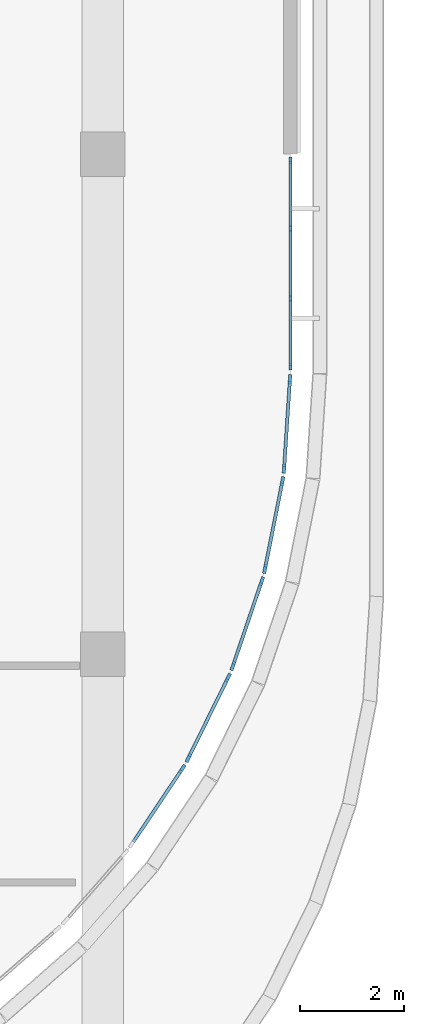
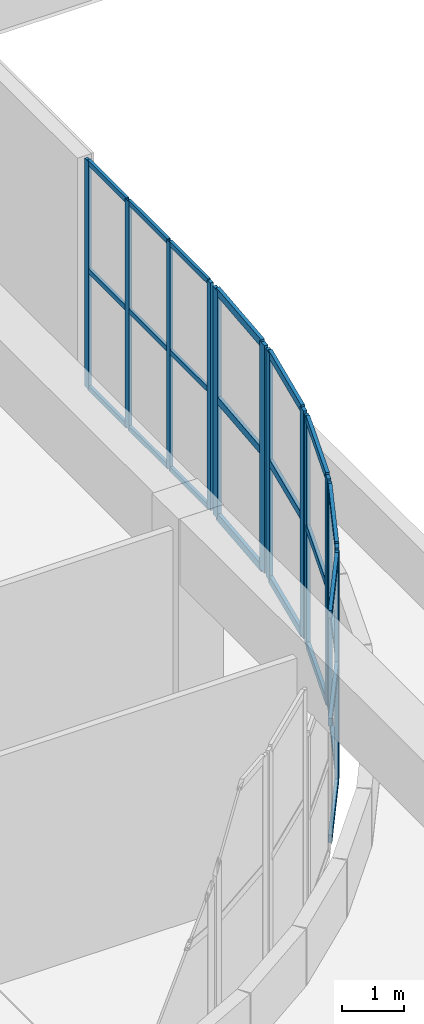
# One storey, part 19 of 67: 37 members, 6 elements without a shape of their own.
"""IFC4 building model written with IfcOpenShell, lengths in metres."""

from ifc_helpers import new_model, si_unit, direction, frame, origin, origin_2d, place, context, subcontext, project, spatial, rectangle, extrude, material, layer, layer_set, material_profile, profile_set, type_object, element, aggregate, save


model = new_model("IFC4")

# Units and contexts
model_context = context("Model", 3, precision=1e-05, world=origin(), true_north=direction((0.0, 1.0)))
body_context = subcontext(model_context, "Body", "Model", "MODEL_VIEW")
ifc_project = project(units=[si_unit("LENGTHUNIT", "METRE"), si_unit("AREAUNIT", "SQUARE_METRE"), si_unit("VOLUMEUNIT", "CUBIC_METRE"), si_unit("PLANEANGLEUNIT", "RADIAN"), si_unit("MASSUNIT", "GRAM", prefix="KILO")], contexts=[model_context])

# Site, building, storey
site_placement = place(None, origin())
site = spatial("IfcSite", under=ifc_project, at=site_placement, CompositionType="ELEMENT")
building_placement = place(site_placement, origin())
building = spatial("IfcBuilding", under=site, at=building_placement, Name="Cendralis Terraced Arcade", CompositionType="ELEMENT")
storey_placement = place(building_placement, frame((0.0, 0.0, 15.0)))
storey = spatial("IfcBuildingStorey", under=building, at=storey_placement, Name="L03", CompositionType="ELEMENT", Elevation=15.0)

# Curtain wall, members
ifc_material = material(Name="Anodised aluminium EN AW-6063 T6", Category="aluminium")
ifc_layer_1 = layer(ifc_material, 0.1201171875, Name="CW-STORE-B")
ifc_layer_set_1 = layer_set([ifc_layer_1], Name="Anodised aluminium EN AW-6063 T6")
curtain_wall_type_1 = type_object("IfcCurtainWallType", Name="CW-STORE-B", PredefinedType="USERDEFINED", material=ifc_layer_set_1)
curtain_wall_1_placement = place(storey_placement, origin())
curtain_wall_1 = element("IfcCurtainWall", 1, at=curtain_wall_1_placement, inside=storey, type_object=curtain_wall_type_1, Name="Exterior Storefront Glazing CW-L03-0258", ObjectType="STOREFRONT GLAZING", PredefinedType="USERDEFINED")
ifc_material_profile_1 = material_profile(ifc_material, rectangle(XDim=0.054931640625, YDim=0.1201171875, at=origin_2d()), Name="ALU-MUL-55x120")
ifc_profile_set_1 = profile_set([ifc_material_profile_1], Name="Anodised aluminium EN AW-6063 T6")
member_type_1 = type_object("IfcMemberType", Name="CW-STORE-B-MUL", PredefinedType="MULLION", material=ifc_profile_set_1)
member_1_placement = place(storey_placement, frame((133.800048828125, 28.6826171875, 0.0), z_axis=(0.0, 0.0, 1.0), x_axis=(1.0, 0.0, 0.0)))
member_1 = element("IfcMember", 2, at=member_1_placement, type_object=member_type_1, Name="CW-S2 mullion 1", PredefinedType="MULLION", context=body_context, shape_type="SweptSolid", body=[
    extrude(rectangle(XDim=0.054931640625, YDim=0.1201171875, at=origin_2d()), origin(), (0.0, 0.0, 1.0), 4.52001953125),
])
member_2_placement = place(storey_placement, frame((133.800048828125, 27.3701171875, 0.0), z_axis=(0.0, 0.0, 1.0), x_axis=(1.0, 0.0, 0.0)))
member_2 = element("IfcMember", 3, at=member_2_placement, type_object=member_type_1, Name="CW-S2 mullion 2", PredefinedType="MULLION", context=body_context, shape_type="SweptSolid", body=[
    extrude(rectangle(XDim=0.054931640625, YDim=0.1201171875, at=origin_2d()), origin(), (0.0, 0.0, 1.0), 4.52001953125),
])
member_3_placement = place(storey_placement, frame((133.800048828125, 26.030029296875, 0.0), z_axis=(0.0, 0.0, 1.0), x_axis=(1.0, 0.0, 0.0)))
member_3 = element("IfcMember", 4, at=member_3_placement, type_object=member_type_1, Name="CW-S2 mullion 3", PredefinedType="MULLION", context=body_context, shape_type="SweptSolid", body=[
    extrude(rectangle(XDim=0.054931640625, YDim=0.1201171875, at=origin_2d()), origin(), (0.0, 0.0, 1.0), 4.52001953125),
])
member_4_placement = place(storey_placement, frame((133.800048828125, 24.717529296875, 0.0), z_axis=(0.0, 0.0, 1.0), x_axis=(1.0, 0.0, 0.0)))
member_4 = element("IfcMember", 5, at=member_4_placement, type_object=member_type_1, Name="CW-S2 mullion 4", PredefinedType="MULLION", context=body_context, shape_type="SweptSolid", body=[
    extrude(rectangle(XDim=0.054931640625, YDim=0.1201171875, at=origin_2d()), origin(), (0.0, 0.0, 1.0), 4.52001953125),
])
ifc_material_profile_2 = material_profile(ifc_material, rectangle(XDim=0.054931640625, YDim=0.10009765625, at=origin_2d()), Name="ALU-TRN-55x100")
ifc_profile_set_2 = profile_set([ifc_material_profile_2], Name="Anodised aluminium EN AW-6063 T6")
member_type_2 = type_object("IfcMemberType", Name="CW-STORE-B-TRN", PredefinedType="USERDEFINED", material=ifc_profile_set_2)
member_5_placement = place(storey_placement, frame((133.800048828125, 28.655029296875, 0.027587890625), z_axis=(0.0, -1.0, 0.0), x_axis=(1.0, 0.0, 0.0)))
member_5 = element("IfcMember", 6, at=member_5_placement, type_object=member_type_2, Name="CW-S2 transom 1.1", ObjectType="TRANSOM", PredefinedType="USERDEFINED", context=body_context, shape_type="SweptSolid", body=[
    extrude(rectangle(XDim=0.054931640625, YDim=0.10009765625, at=origin_2d()), origin(), (0.0, 0.0, 1.0), 1.257568359375),
])
member_6_placement = place(storey_placement, frame((133.800048828125, 28.655029296875, 2.350341796875), z_axis=(0.0, -1.0, 0.0), x_axis=(1.0, 0.0, 0.0)))
member_6 = element("IfcMember", 7, at=member_6_placement, type_object=member_type_2, Name="CW-S2 transom 1.2", ObjectType="TRANSOM", PredefinedType="USERDEFINED", context=body_context, shape_type="SweptSolid", body=[
    extrude(rectangle(XDim=0.054931640625, YDim=0.10009765625, at=origin_2d()), origin(), (0.0, 0.0, 1.0), 1.257568359375),
])
member_7_placement = place(storey_placement, frame((133.800048828125, 28.655029296875, 4.492431640625), z_axis=(0.0, -1.0, 0.0), x_axis=(1.0, 0.0, 0.0)))
member_7 = element("IfcMember", 8, at=member_7_placement, type_object=member_type_2, Name="CW-S2 transom 1.3", ObjectType="TRANSOM", PredefinedType="USERDEFINED", context=body_context, shape_type="SweptSolid", body=[
    extrude(rectangle(XDim=0.054931640625, YDim=0.10009765625, at=origin_2d()), origin(), (0.0, 0.0, 1.0), 1.257568359375),
])
member_8_placement = place(storey_placement, frame((133.800048828125, 27.342529296875, 0.027587890625), z_axis=(0.0, -1.0, 0.0), x_axis=(1.0, 0.0, 0.0)))
member_8 = element("IfcMember", 9, at=member_8_placement, type_object=member_type_2, Name="CW-S2 transom 2.1", ObjectType="TRANSOM", PredefinedType="USERDEFINED", context=body_context, shape_type="SweptSolid", body=[
    extrude(rectangle(XDim=0.054931640625, YDim=0.10009765625, at=origin_2d()), origin(), (0.0, 0.0, 1.0), 1.284912109375),
])
member_9_placement = place(storey_placement, frame((133.800048828125, 27.342529296875, 2.350341796875), z_axis=(0.0, -1.0, 0.0), x_axis=(1.0, 0.0, 0.0)))
member_9 = element("IfcMember", 10, at=member_9_placement, type_object=member_type_2, Name="CW-S2 transom 2.2", ObjectType="TRANSOM", PredefinedType="USERDEFINED", context=body_context, shape_type="SweptSolid", body=[
    extrude(rectangle(XDim=0.054931640625, YDim=0.10009765625, at=origin_2d()), origin(), (0.0, 0.0, 1.0), 1.284912109375),
])
member_10_placement = place(storey_placement, frame((133.800048828125, 27.342529296875, 4.492431640625), z_axis=(0.0, -1.0, 0.0), x_axis=(1.0, 0.0, 0.0)))
member_10 = element("IfcMember", 11, at=member_10_placement, type_object=member_type_2, Name="CW-S2 transom 2.3", ObjectType="TRANSOM", PredefinedType="USERDEFINED", context=body_context, shape_type="SweptSolid", body=[
    extrude(rectangle(XDim=0.054931640625, YDim=0.10009765625, at=origin_2d()), origin(), (0.0, 0.0, 1.0), 1.284912109375),
])
member_11_placement = place(storey_placement, frame((133.800048828125, 26.00244140625, 0.027587890625), z_axis=(0.0, -1.0, 0.0), x_axis=(1.0, 0.0, 0.0)))
member_11 = element("IfcMember", 12, at=member_11_placement, type_object=member_type_2, Name="CW-S2 transom 3.1", ObjectType="TRANSOM", PredefinedType="USERDEFINED", context=body_context, shape_type="SweptSolid", body=[
    extrude(rectangle(XDim=0.054931640625, YDim=0.10009765625, at=origin_2d()), origin(), (0.0, 0.0, 1.0), 1.25732421875),
])
member_12_placement = place(storey_placement, frame((133.800048828125, 26.00244140625, 2.350341796875), z_axis=(0.0, -1.0, 0.0), x_axis=(1.0, 0.0, 0.0)))
member_12 = element("IfcMember", 13, at=member_12_placement, type_object=member_type_2, Name="CW-S2 transom 3.2", ObjectType="TRANSOM", PredefinedType="USERDEFINED", context=body_context, shape_type="SweptSolid", body=[
    extrude(rectangle(XDim=0.054931640625, YDim=0.10009765625, at=origin_2d()), origin(), (0.0, 0.0, 1.0), 1.25732421875),
])
member_13_placement = place(storey_placement, frame((133.800048828125, 26.00244140625, 4.492431640625), z_axis=(0.0, -1.0, 0.0), x_axis=(1.0, 0.0, 0.0)))
member_13 = element("IfcMember", 14, at=member_13_placement, type_object=member_type_2, Name="CW-S2 transom 3.3", ObjectType="TRANSOM", PredefinedType="USERDEFINED", context=body_context, shape_type="SweptSolid", body=[
    extrude(rectangle(XDim=0.054931640625, YDim=0.10009765625, at=origin_2d()), origin(), (0.0, 0.0, 1.0), 1.25732421875),
])
aggregate(curtain_wall_1, [member_1, member_2, member_3, member_4, member_5, member_6, member_7, member_8, member_9, member_10, member_11, member_12, member_13])

ifc_layer_2 = layer(ifc_material, 0.179931640625, Name="CW-UNIT-A")
ifc_layer_set_2 = layer_set([ifc_layer_2], Name="Anodised aluminium EN AW-6063 T6")
curtain_wall_type_2 = type_object("IfcCurtainWallType", Name="CW-UNIT-A", PredefinedType="USERDEFINED", material=ifc_layer_set_2)
curtain_wall_2_placement = place(storey_placement, origin())
curtain_wall_2 = element("IfcCurtainWall", 15, at=curtain_wall_2_placement, inside=storey, type_object=curtain_wall_type_2, Name="Exterior Unitised Facade CW-L03-0259", ObjectType="UNITISED FACADE", PredefinedType="USERDEFINED")
ifc_material_profile_3 = material_profile(ifc_material, rectangle(XDim=0.06494140625, YDim=0.179931640625, at=origin_2d()), Name="ALU-MUL-65x180")
ifc_profile_set_3 = profile_set([ifc_material_profile_3], Name="Anodised aluminium EN AW-6063 T6")
member_type_3 = type_object("IfcMemberType", Name="CW-UNIT-A-MUL", PredefinedType="MULLION", material=ifc_profile_set_3)
member_14_placement = place(storey_placement, frame((133.7919921875, 24.477783203125, 0.0), z_axis=(0.0, 0.0, 1.0), x_axis=(0.997860971336, -0.065371873798, 0.0)))
member_14 = element("IfcMember", 16, at=member_14_placement, type_object=member_type_3, Name="CW-U1 mullion 1", PredefinedType="MULLION", context=body_context, shape_type="SweptSolid", body=[
    extrude(rectangle(XDim=0.06494140625, YDim=0.179931640625, at=origin_2d()), origin(), (0.0, 0.0, 1.0), 4.52001953125),
])
member_15_placement = place(storey_placement, frame((133.6796875, 22.764404296875, 0.0), z_axis=(0.0, 0.0, 1.0), x_axis=(0.997860971336, -0.065371873798, 0.0)))
member_15 = element("IfcMember", 17, at=member_15_placement, type_object=member_type_3, Name="CW-U1 mullion 2", PredefinedType="MULLION", context=body_context, shape_type="SweptSolid", body=[
    extrude(rectangle(XDim=0.06494140625, YDim=0.179931640625, at=origin_2d()), origin(), (0.0, 0.0, 1.0), 4.52001953125),
])

curtain_wall_3_placement = place(storey_placement, origin())
curtain_wall_3 = element("IfcCurtainWall", 18, at=curtain_wall_3_placement, inside=storey, type_object=curtain_wall_type_2, Name="Exterior Unitised Facade CW-L03-0260", ObjectType="UNITISED FACADE", PredefinedType="USERDEFINED")
member_16_placement = place(storey_placement, frame((133.647705078125, 22.52197265625, 0.0), z_axis=(0.0, 0.0, 1.0), x_axis=(0.980791618721, -0.195058454434, 0.0)))
member_16 = element("IfcMember", 19, at=member_16_placement, type_object=member_type_3, Name="CW-U1 mullion 1", PredefinedType="MULLION", context=body_context, shape_type="SweptSolid", body=[
    extrude(rectangle(XDim=0.06494140625, YDim=0.179931640625, at=origin_2d()), origin(), (0.0, 0.0, 1.0), 4.52001953125),
])
member_17_placement = place(storey_placement, frame((133.312744140625, 20.837890625, 0.0), z_axis=(0.0, 0.0, 1.0), x_axis=(0.980791618721, -0.195058454434, 0.0)))
member_17 = element("IfcMember", 20, at=member_17_placement, type_object=member_type_3, Name="CW-U1 mullion 2", PredefinedType="MULLION", context=body_context, shape_type="SweptSolid", body=[
    extrude(rectangle(XDim=0.06494140625, YDim=0.179931640625, at=origin_2d()), origin(), (0.0, 0.0, 1.0), 4.52001953125),
])

curtain_wall_4_placement = place(storey_placement, origin())
curtain_wall_4 = element("IfcCurtainWall", 21, at=curtain_wall_4_placement, inside=storey, type_object=curtain_wall_type_2, Name="Exterior Unitised Facade CW-L03-0261", ObjectType="UNITISED FACADE", PredefinedType="USERDEFINED")
member_18_placement = place(storey_placement, frame((133.24951171875, 20.601806640625, 0.0), z_axis=(0.0, 0.0, 1.0), x_axis=(0.946923811316, -0.321458077458, 0.0)))
member_18 = element("IfcMember", 22, at=member_18_placement, type_object=member_type_3, Name="CW-U1 mullion 1", PredefinedType="MULLION", context=body_context, shape_type="SweptSolid", body=[
    extrude(rectangle(XDim=0.06494140625, YDim=0.179931640625, at=origin_2d()), origin(), (0.0, 0.0, 1.0), 4.52001953125),
])
member_19_placement = place(storey_placement, frame((132.697509765625, 18.9755859375, 0.0), z_axis=(0.0, 0.0, 1.0), x_axis=(0.946923811316, -0.321458077458, 0.0)))
member_19 = element("IfcMember", 23, at=member_19_placement, type_object=member_type_3, Name="CW-U1 mullion 2", PredefinedType="MULLION", context=body_context, shape_type="SweptSolid", body=[
    extrude(rectangle(XDim=0.06494140625, YDim=0.179931640625, at=origin_2d()), origin(), (0.0, 0.0, 1.0), 4.52001953125),
])

curtain_wall_5_placement = place(storey_placement, origin())
curtain_wall_5 = element("IfcCurtainWall", 24, at=curtain_wall_5_placement, inside=storey, type_object=curtain_wall_type_2, Name="Exterior Unitised Facade CW-L03-0262", ObjectType="UNITISED FACADE", PredefinedType="USERDEFINED")
member_20_placement = place(storey_placement, frame((132.60400390625, 18.749755859375, 0.0), z_axis=(0.0, 0.0, 1.0), x_axis=(0.896871480419, -0.442291247495, 0.0)))
member_20 = element("IfcMember", 25, at=member_20_placement, type_object=member_type_3, Name="CW-U1 mullion 1", PredefinedType="MULLION", context=body_context, shape_type="SweptSolid", body=[
    extrude(rectangle(XDim=0.06494140625, YDim=0.179931640625, at=origin_2d()), origin(), (0.0, 0.0, 1.0), 4.52001953125),
])
member_21_placement = place(storey_placement, frame((131.844482421875, 17.2099609375, 0.0), z_axis=(0.0, 0.0, 1.0), x_axis=(0.896871480419, -0.442291247495, 0.0)))
member_21 = element("IfcMember", 26, at=member_21_placement, type_object=member_type_3, Name="CW-U1 mullion 2", PredefinedType="MULLION", context=body_context, shape_type="SweptSolid", body=[
    extrude(rectangle(XDim=0.06494140625, YDim=0.179931640625, at=origin_2d()), origin(), (0.0, 0.0, 1.0), 4.52001953125),
])

# Curtain wall, member
curtain_wall_6_placement = place(storey_placement, origin())
curtain_wall_6 = element("IfcCurtainWall", 27, at=curtain_wall_6_placement, inside=storey, type_object=curtain_wall_type_2, Name="Exterior Unitised Facade CW-L03-0263", ObjectType="UNITISED FACADE", PredefinedType="USERDEFINED")
member_22_placement = place(storey_placement, frame((131.722412109375, 16.998291015625, 0.0), z_axis=(0.0, 0.0, 1.0), x_axis=(0.831471454125, -0.555567476528, 0.0)))
member_22 = element("IfcMember", 28, at=member_22_placement, type_object=member_type_3, Name="CW-U1 mullion 1", PredefinedType="MULLION", context=body_context, shape_type="SweptSolid", body=[
    extrude(rectangle(XDim=0.06494140625, YDim=0.179931640625, at=origin_2d()), origin(), (0.0, 0.0, 1.0), 4.52001953125),
])

# Member
ifc_material_profile_4 = material_profile(ifc_material, rectangle(XDim=0.06494140625, YDim=0.14990234375, at=origin_2d()), Name="ALU-TRN-65x150")
ifc_profile_set_4 = profile_set([ifc_material_profile_4], Name="Anodised aluminium EN AW-6063 T6")
member_type_4 = type_object("IfcMemberType", Name="CW-UNIT-A-TRN", PredefinedType="USERDEFINED", material=ifc_profile_set_4)
member_23_placement = place(storey_placement, frame((133.789794921875, 24.4453125, 0.032470703125), z_axis=(-0.065322272667, -0.997864219568, 0.0), x_axis=(0.997864219568, -0.065322272667, 0.0)))
member_23 = element("IfcMember", 29, at=member_23_placement, type_object=member_type_4, Name="CW-U1 transom 1.1", ObjectType="TRANSOM", PredefinedType="USERDEFINED", context=body_context, shape_type="SweptSolid", body=[
    extrude(rectangle(XDim=0.06494140625, YDim=0.14990234375, at=origin_2d()), origin(), (0.0, 0.0, 1.0), 1.65185546875),
])

member_24_placement = place(storey_placement, frame((133.789794921875, 24.4453125, 2.350341796875), z_axis=(-0.065322272667, -0.997864219568, 0.0), x_axis=(0.997864219568, -0.065322272667, 0.0)))
member_24 = element("IfcMember", 30, at=member_24_placement, type_object=member_type_4, Name="CW-U1 transom 1.2", ObjectType="TRANSOM", PredefinedType="USERDEFINED", context=body_context, shape_type="SweptSolid", body=[
    extrude(rectangle(XDim=0.06494140625, YDim=0.14990234375, at=origin_2d()), origin(), (0.0, 0.0, 1.0), 1.65185546875),
])

member_25_placement = place(storey_placement, frame((133.789794921875, 24.4453125, 4.487548828125), z_axis=(-0.065322272667, -0.997864219568, 0.0), x_axis=(0.997864219568, -0.065322272667, 0.0)))
member_25 = element("IfcMember", 31, at=member_25_placement, type_object=member_type_4, Name="CW-U1 transom 1.3", ObjectType="TRANSOM", PredefinedType="USERDEFINED", context=body_context, shape_type="SweptSolid", body=[
    extrude(rectangle(XDim=0.06494140625, YDim=0.14990234375, at=origin_2d()), origin(), (0.0, 0.0, 1.0), 1.65185546875),
])

aggregate(curtain_wall_2, [member_14, member_15, member_23, member_24, member_25])

member_26_placement = place(storey_placement, frame((133.641357421875, 22.489990234375, 0.032470703125), z_axis=(-0.195092814307, -0.980784784652, 0.0), x_axis=(0.980784784652, -0.195092814307, 0.0)))
member_26 = element("IfcMember", 32, at=member_26_placement, type_object=member_type_4, Name="CW-U1 transom 1.1", ObjectType="TRANSOM", PredefinedType="USERDEFINED", context=body_context, shape_type="SweptSolid", body=[
    extrude(rectangle(XDim=0.06494140625, YDim=0.14990234375, at=origin_2d()), origin(), (0.0, 0.0, 1.0), 1.65185546875),
])

member_27_placement = place(storey_placement, frame((133.641357421875, 22.489990234375, 2.350341796875), z_axis=(-0.195092814307, -0.980784784652, 0.0), x_axis=(0.980784784652, -0.195092814307, 0.0)))
member_27 = element("IfcMember", 33, at=member_27_placement, type_object=member_type_4, Name="CW-U1 transom 1.2", ObjectType="TRANSOM", PredefinedType="USERDEFINED", context=body_context, shape_type="SweptSolid", body=[
    extrude(rectangle(XDim=0.06494140625, YDim=0.14990234375, at=origin_2d()), origin(), (0.0, 0.0, 1.0), 1.65185546875),
])

member_28_placement = place(storey_placement, frame((133.641357421875, 22.489990234375, 4.487548828125), z_axis=(-0.195092814307, -0.980784784652, 0.0), x_axis=(0.980784784652, -0.195092814307, 0.0)))
member_28 = element("IfcMember", 34, at=member_28_placement, type_object=member_type_4, Name="CW-U1 transom 1.3", ObjectType="TRANSOM", PredefinedType="USERDEFINED", context=body_context, shape_type="SweptSolid", body=[
    extrude(rectangle(XDim=0.06494140625, YDim=0.14990234375, at=origin_2d()), origin(), (0.0, 0.0, 1.0), 1.65185546875),
])

aggregate(curtain_wall_3, [member_16, member_17, member_26, member_27, member_28])

member_29_placement = place(storey_placement, frame((133.239013671875, 20.571044921875, 0.032470703125), z_axis=(-0.321364960579, -0.946955417172, 0.0), x_axis=(0.946955417172, -0.321364960579, 0.0)))
member_29 = element("IfcMember", 35, at=member_29_placement, type_object=member_type_4, Name="CW-U1 transom 1.1", ObjectType="TRANSOM", PredefinedType="USERDEFINED", context=body_context, shape_type="SweptSolid", body=[
    extrude(rectangle(XDim=0.06494140625, YDim=0.14990234375, at=origin_2d()), origin(), (0.0, 0.0, 1.0), 1.65234375),
])

member_30_placement = place(storey_placement, frame((133.239013671875, 20.571044921875, 2.350341796875), z_axis=(-0.321364960579, -0.946955417172, 0.0), x_axis=(0.946955417172, -0.321364960579, 0.0)))
member_30 = element("IfcMember", 36, at=member_30_placement, type_object=member_type_4, Name="CW-U1 transom 1.2", ObjectType="TRANSOM", PredefinedType="USERDEFINED", context=body_context, shape_type="SweptSolid", body=[
    extrude(rectangle(XDim=0.06494140625, YDim=0.14990234375, at=origin_2d()), origin(), (0.0, 0.0, 1.0), 1.65234375),
])

member_31_placement = place(storey_placement, frame((133.239013671875, 20.571044921875, 4.487548828125), z_axis=(-0.321364960579, -0.946955417172, 0.0), x_axis=(0.946955417172, -0.321364960579, 0.0)))
member_31 = element("IfcMember", 37, at=member_31_placement, type_object=member_type_4, Name="CW-U1 transom 1.3", ObjectType="TRANSOM", PredefinedType="USERDEFINED", context=body_context, shape_type="SweptSolid", body=[
    extrude(rectangle(XDim=0.06494140625, YDim=0.14990234375, at=origin_2d()), origin(), (0.0, 0.0, 1.0), 1.65234375),
])

aggregate(curtain_wall_4, [member_18, member_19, member_29, member_30, member_31])

member_32_placement = place(storey_placement, frame((132.589599609375, 18.720703125, 0.032470703125), z_axis=(-0.442300625853, -0.896866855431, 0.0), x_axis=(0.896866855431, -0.442300625853, 0.0)))
member_32 = element("IfcMember", 38, at=member_32_placement, type_object=member_type_4, Name="CW-U1 transom 1.1", ObjectType="TRANSOM", PredefinedType="USERDEFINED", context=body_context, shape_type="SweptSolid", body=[
    extrude(rectangle(XDim=0.06494140625, YDim=0.14990234375, at=origin_2d()), origin(), (0.0, 0.0, 1.0), 1.652099609375),
])

member_33_placement = place(storey_placement, frame((132.589599609375, 18.720703125, 2.350341796875), z_axis=(-0.442300625853, -0.896866855431, 0.0), x_axis=(0.896866855431, -0.442300625853, 0.0)))
member_33 = element("IfcMember", 39, at=member_33_placement, type_object=member_type_4, Name="CW-U1 transom 1.2", ObjectType="TRANSOM", PredefinedType="USERDEFINED", context=body_context, shape_type="SweptSolid", body=[
    extrude(rectangle(XDim=0.06494140625, YDim=0.14990234375, at=origin_2d()), origin(), (0.0, 0.0, 1.0), 1.652099609375),
])

member_34_placement = place(storey_placement, frame((132.589599609375, 18.720703125, 4.487548828125), z_axis=(-0.442300625853, -0.896866855431, 0.0), x_axis=(0.896866855431, -0.442300625853, 0.0)))
member_34 = element("IfcMember", 40, at=member_34_placement, type_object=member_type_4, Name="CW-U1 transom 1.3", ObjectType="TRANSOM", PredefinedType="USERDEFINED", context=body_context, shape_type="SweptSolid", body=[
    extrude(rectangle(XDim=0.06494140625, YDim=0.14990234375, at=origin_2d()), origin(), (0.0, 0.0, 1.0), 1.652099609375),
])

aggregate(curtain_wall_5, [member_20, member_21, member_32, member_33, member_34])

member_35_placement = place(storey_placement, frame((131.704345703125, 16.97119140625, 0.032470703125), z_axis=(-0.555586455466, -0.831458772582, 0.0), x_axis=(0.831458772582, -0.555586455466, 0.0)))
member_35 = element("IfcMember", 41, at=member_35_placement, type_object=member_type_4, Name="CW-U1 transom 1.1", ObjectType="TRANSOM", PredefinedType="USERDEFINED", context=body_context, shape_type="SweptSolid", body=[
    extrude(rectangle(XDim=0.06494140625, YDim=0.14990234375, at=origin_2d()), origin(), (0.0, 0.0, 1.0), 1.65234375),
])

member_36_placement = place(storey_placement, frame((131.704345703125, 16.97119140625, 2.350341796875), z_axis=(-0.555586455466, -0.831458772582, 0.0), x_axis=(0.831458772582, -0.555586455466, 0.0)))
member_36 = element("IfcMember", 42, at=member_36_placement, type_object=member_type_4, Name="CW-U1 transom 1.2", ObjectType="TRANSOM", PredefinedType="USERDEFINED", context=body_context, shape_type="SweptSolid", body=[
    extrude(rectangle(XDim=0.06494140625, YDim=0.14990234375, at=origin_2d()), origin(), (0.0, 0.0, 1.0), 1.65234375),
])

member_37_placement = place(storey_placement, frame((131.704345703125, 16.97119140625, 4.487548828125), z_axis=(-0.555586455466, -0.831458772582, 0.0), x_axis=(0.831458772582, -0.555586455466, 0.0)))
member_37 = element("IfcMember", 43, at=member_37_placement, type_object=member_type_4, Name="CW-U1 transom 1.3", ObjectType="TRANSOM", PredefinedType="USERDEFINED", context=body_context, shape_type="SweptSolid", body=[
    extrude(rectangle(XDim=0.06494140625, YDim=0.14990234375, at=origin_2d()), origin(), (0.0, 0.0, 1.0), 1.65234375),
])

aggregate(curtain_wall_6, [member_22, member_35, member_36, member_37])

save(model, "model.ifc")
